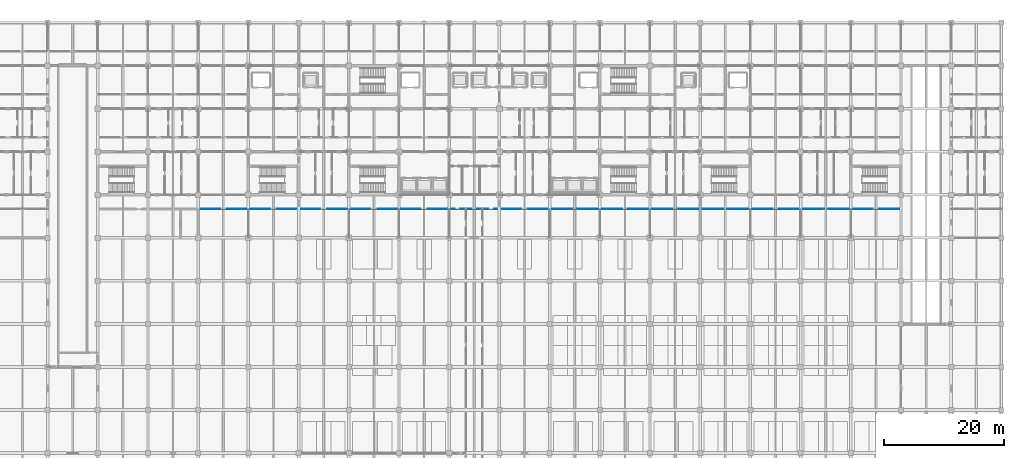
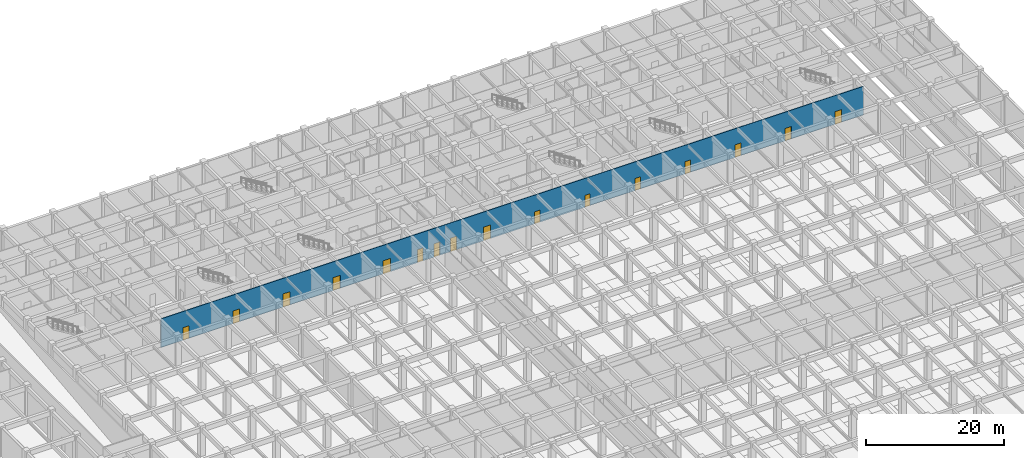
# One storey, part 25 of 48: 16 doors, 1 wall, 16 openings.
"""IFC4 building model written with IfcOpenShell, lengths in metres."""

from ifc_helpers import new_model, si_unit, direction, frame, frame_2d, origin, place, context, subcontext, project, spatial, rectangle, extrude, material, layer, layer_set, type_object, element, fill, save


model = new_model("IFC4")

# Units and contexts
model_context = context("Model", 3, precision=1e-05, world=origin(), true_north=direction((0.0, 1.0)))
body_context = subcontext(model_context, "Body", "Model", "MODEL_VIEW")
ifc_project = project(units=[si_unit("LENGTHUNIT", "METRE"), si_unit("AREAUNIT", "SQUARE_METRE"), si_unit("VOLUMEUNIT", "CUBIC_METRE"), si_unit("PLANEANGLEUNIT", "RADIAN"), si_unit("MASSUNIT", "GRAM", prefix="KILO")], contexts=[model_context])

# Site, building, storey
site_placement = place(None, origin())
site = spatial("IfcSite", under=ifc_project, at=site_placement, CompositionType="ELEMENT")
building_placement = place(site_placement, origin())
building = spatial("IfcBuilding", under=site, at=building_placement, Name="Chengyuan Square Courthouse", CompositionType="ELEMENT")
storey_placement = place(building_placement, frame((0.0, 0.0, -5.39990234375)))
storey = spatial("IfcBuildingStorey", under=building, at=storey_placement, Name="B01", CompositionType="ELEMENT", Elevation=-5.39990234375)

# Wall, openings, doors
ifc_material_1 = material(Name="Gypsum Plasterboard Acoustic Stud Partition")
ifc_layer = layer(ifc_material_1, 0.10009765625)
ifc_layer_set = layer_set([ifc_layer], Name="Gypsum Plasterboard Acoustic Stud Partition")
wall_type = type_object("IfcWallType", Name="WL-PT6", PredefinedType="STANDARD", material=ifc_layer_set)
wall_placement = place(storey_placement, frame((33.60009765625, 84.0, 0.0), z_axis=(0.0, 0.0, 1.0), x_axis=(1.0, 0.0, 0.0)))
wall = element("IfcWall", 1, at=wall_placement, inside=storey, type_object=wall_type, Name="Interior Wall WL-B01-I303", PredefinedType="STANDARD", context=body_context, shape_type="SweptSolid", body=[
    extrude(rectangle(XDim=117.599853515625, YDim=0.10009765625, at=frame_2d((58.7998046875, 0.0))), origin(), (0.0, 0.0, 1.0), 5.099853515625),
])
opening_1_placement = place(wall_placement, frame((3.659912109375, 0.0, 0.0)))
opening_1 = element("IfcOpeningElement", 2, at=opening_1_placement, cuts=wall, Name="Opening DR-618", PredefinedType="OPENING", context=body_context, shape_type="SweptSolid", body=[
    extrude(rectangle(XDim=1.080078125, YDim=2.25, at=frame_2d((0.5400390625, 1.125))), frame((0.0, 0.06201171875, 0.0), z_axis=(0.0, -1.0, 0.0), x_axis=(1.0, 0.0, 0.0)), (0.0, 0.0, 1.0), 0.1240234375),
])
opening_2_placement = place(wall_placement, frame((12.0400390625, 0.0, 0.0)))
opening_2 = element("IfcOpeningElement", 3, at=opening_2_placement, cuts=wall, Name="Opening DR-619", PredefinedType="OPENING", context=body_context, shape_type="SweptSolid", body=[
    extrude(rectangle(XDim=1.1201171875, YDim=2.25, at=frame_2d((0.56005859375, 1.125))), frame((0.0, 0.06201171875, 0.0), z_axis=(0.0, -1.0, 0.0), x_axis=(1.0, 0.0, 0.0)), (0.0, 0.0, 1.0), 0.1240234375),
])
opening_3_placement = place(wall_placement, frame((20.39990234375, 0.0, 0.0)))
opening_3 = element("IfcOpeningElement", 4, at=opening_3_placement, cuts=wall, Name="Opening DR-621", PredefinedType="OPENING", context=body_context, shape_type="SweptSolid", body=[
    extrude(rectangle(XDim=1.199951171875, YDim=2.35009765625, at=frame_2d((0.60009765625, 1.175048828125))), frame((0.0, 0.06201171875, 0.0), z_axis=(0.0, -1.0, 0.0), x_axis=(1.0, 0.0, 0.0)), (0.0, 0.0, 1.0), 0.1240234375),
])
opening_4_placement = place(wall_placement, frame((28.780029296875, 0.0, 0.0)))
opening_4 = element("IfcOpeningElement", 5, at=opening_4_placement, cuts=wall, Name="Opening DR-622", PredefinedType="OPENING", context=body_context, shape_type="SweptSolid", body=[
    extrude(rectangle(XDim=1.239990234375, YDim=2.300048828125, at=frame_2d((0.6201171875, 1.14990234375))), frame((0.0, 0.06201171875, 0.0), z_axis=(0.0, -1.0, 0.0), x_axis=(1.0, 0.0, 0.0)), (0.0, 0.0, 1.0), 0.1240234375),
])
opening_5_placement = place(wall_placement, frame((37.159912109375, 0.0, 0.0)))
opening_5 = element("IfcOpeningElement", 6, at=opening_5_placement, cuts=wall, Name="Opening DR-623", PredefinedType="OPENING", context=body_context, shape_type="SweptSolid", body=[
    extrude(rectangle(XDim=1.280029296875, YDim=2.35009765625, at=frame_2d((0.64013671875, 1.175048828125))), frame((0.0, 0.06201171875, 0.0), z_axis=(0.0, -1.0, 0.0), x_axis=(1.0, 0.0, 0.0)), (0.0, 0.0, 1.0), 0.1240234375),
])
opening_6_placement = place(wall_placement, frame((42.929931640625, 0.0, 0.0)))
opening_6 = element("IfcOpeningElement", 7, at=opening_6_placement, cuts=wall, Name="Opening DR-624", PredefinedType="OPENING", context=body_context, shape_type="SweptSolid", body=[
    extrude(rectangle(XDim=0.93994140625, YDim=2.300048828125, at=frame_2d((0.469970703125, 1.14990234375))), frame((0.0, 0.06201171875, 0.0), z_axis=(0.0, -1.0, 0.0), x_axis=(1.0, 0.0, 0.0)), (0.0, 0.0, 1.0), 0.1240234375),
])
opening_7_placement = place(wall_placement, frame((45.7099609375, 0.0, 0.0)))
opening_7 = element("IfcOpeningElement", 8, at=opening_7_placement, cuts=wall, Name="Opening DR-625", PredefinedType="OPENING", context=body_context, shape_type="SweptSolid", body=[
    extrude(rectangle(XDim=0.97998046875, YDim=2.35009765625, at=frame_2d((0.489990234375, 1.175048828125))), frame((0.0, 0.06201171875, 0.0), z_axis=(0.0, -1.0, 0.0), x_axis=(1.0, 0.0, 0.0)), (0.0, 0.0, 1.0), 0.1240234375),
])
opening_8_placement = place(wall_placement, frame((48.489990234375, 0.0, 0.0)))
opening_8 = element("IfcOpeningElement", 9, at=opening_8_placement, cuts=wall, Name="Opening DR-626", PredefinedType="OPENING", context=body_context, shape_type="SweptSolid", body=[
    extrude(rectangle(XDim=1.02001953125, YDim=2.39990234375, at=frame_2d((0.510009765625, 1.199951171875))), frame((0.0, 0.06201171875, 0.0), z_axis=(0.0, -1.0, 0.0), x_axis=(1.0, 0.0, 0.0)), (0.0, 0.0, 1.0), 0.1240234375),
])
opening_9_placement = place(wall_placement, frame((54.030029296875, 0.0, 0.0)))
opening_9 = element("IfcOpeningElement", 10, at=opening_9_placement, cuts=wall, Name="Opening DR-628", PredefinedType="OPENING", context=body_context, shape_type="SweptSolid", body=[
    extrude(rectangle(XDim=1.139892578125, YDim=2.39990234375, at=frame_2d((0.56982421875, 1.199951171875))), frame((0.0, 0.06201171875, 0.0), z_axis=(0.0, -1.0, 0.0), x_axis=(1.0, 0.0, 0.0)), (0.0, 0.0, 1.0), 0.1240234375),
])
opening_10_placement = place(wall_placement, frame((62.550048828125, 0.0, 0.0)))
opening_10 = element("IfcOpeningElement", 11, at=opening_10_placement, cuts=wall, Name="Opening DR-629", PredefinedType="OPENING", context=body_context, shape_type="SweptSolid", body=[
    extrude(rectangle(XDim=0.89990234375, YDim=2.14990234375, at=frame_2d((0.449951171875, 1.074951171875))), frame((0.0, 0.06201171875, 0.0), z_axis=(0.0, -1.0, 0.0), x_axis=(1.0, 0.0, 0.0)), (0.0, 0.0, 1.0), 0.1240234375),
])
opening_11_placement = place(wall_placement, frame((70.969970703125, 0.0, 0.0)))
opening_11 = element("IfcOpeningElement", 12, at=opening_11_placement, cuts=wall, Name="Opening DR-630", PredefinedType="OPENING", context=body_context, shape_type="SweptSolid", body=[
    extrude(rectangle(XDim=0.860107421875, YDim=2.10009765625, at=frame_2d((0.43017578125, 1.050048828125))), frame((0.0, 0.06201171875, 0.0), z_axis=(0.0, -1.0, 0.0), x_axis=(1.0, 0.0, 0.0)), (0.0, 0.0, 1.0), 0.1240234375),
])
opening_12_placement = place(wall_placement, frame((79.340087890625, 0.0, 0.0)))
opening_12 = element("IfcOpeningElement", 13, at=opening_12_placement, cuts=wall, Name="Opening DR-631", PredefinedType="OPENING", context=body_context, shape_type="SweptSolid", body=[
    extrude(rectangle(XDim=0.919921875, YDim=2.14990234375, at=frame_2d((0.4599609375, 1.074951171875))), frame((0.0, 0.06201171875, 0.0), z_axis=(0.0, -1.0, 0.0), x_axis=(1.0, 0.0, 0.0)), (0.0, 0.0, 1.0), 0.1240234375),
])
opening_13_placement = place(wall_placement, frame((87.719970703125, 0.0, 0.0)))
opening_13 = element("IfcOpeningElement", 14, at=opening_13_placement, cuts=wall, Name="Opening DR-632", PredefinedType="OPENING", context=body_context, shape_type="SweptSolid", body=[
    extrude(rectangle(XDim=0.9599609375, YDim=2.199951171875, at=frame_2d((0.47998046875, 1.10009765625))), frame((0.0, 0.06201171875, 0.0), z_axis=(0.0, -1.0, 0.0), x_axis=(1.0, 0.0, 0.0)), (0.0, 0.0, 1.0), 0.1240234375),
])
opening_14_placement = place(wall_placement, frame((96.10009765625, 0.0, 0.0)))
opening_14 = element("IfcOpeningElement", 15, at=opening_14_placement, cuts=wall, Name="Opening DR-633", PredefinedType="OPENING", context=body_context, shape_type="SweptSolid", body=[
    extrude(rectangle(XDim=1.0, YDim=2.25, at=frame_2d((0.5, 1.125))), frame((0.0, 0.06201171875, 0.0), z_axis=(0.0, -1.0, 0.0), x_axis=(1.0, 0.0, 0.0)), (0.0, 0.0, 1.0), 0.1240234375),
])
opening_15_placement = place(wall_placement, frame((104.47998046875, 0.0, 0.0)))
opening_15 = element("IfcOpeningElement", 16, at=opening_15_placement, cuts=wall, Name="Opening DR-634", PredefinedType="OPENING", context=body_context, shape_type="SweptSolid", body=[
    extrude(rectangle(XDim=1.0400390625, YDim=2.199951171875, at=frame_2d((0.52001953125, 1.10009765625))), frame((0.0, 0.06201171875, 0.0), z_axis=(0.0, -1.0, 0.0), x_axis=(1.0, 0.0, 0.0)), (0.0, 0.0, 1.0), 0.1240234375),
])
opening_16_placement = place(wall_placement, frame((112.860107421875, 0.0, 0.0)))
opening_16 = element("IfcOpeningElement", 17, at=opening_16_placement, cuts=wall, Name="Opening DR-635", PredefinedType="OPENING", context=body_context, shape_type="SweptSolid", body=[
    extrude(rectangle(XDim=1.080078125, YDim=2.25, at=frame_2d((0.5400390625, 1.125))), frame((0.0, 0.06201171875, 0.0), z_axis=(0.0, -1.0, 0.0), x_axis=(1.0, 0.0, 0.0)), (0.0, 0.0, 1.0), 0.1240234375),
])
ifc_material_2 = material(Name="Acoustic Solid-Core Timber Door", Category="wood")
door_type_1 = type_object("IfcDoorType", Name="DT-27", OperationType="NOTDEFINED", PredefinedType="DOOR", material=ifc_material_2)
door_1_placement = place(opening_10_placement, origin())
door_1 = element("IfcDoor", 18, at=door_1_placement, inside=storey, type_object=door_type_1, Name="Interior Door DR-629", OperationType="SINGLE_SWING_RIGHT", OverallHeight=2.14990234375, OverallWidth=0.89990234375, PredefinedType="DOOR", context=body_context, shape_type="SweptSolid", body=[
    extrude(rectangle(XDim=0.89990234375, YDim=2.14990234375, at=frame_2d((0.449951171875, 1.074951171875))), frame((0.0, 0.02490234375, 0.0), z_axis=(0.0, -1.0, 0.0), x_axis=(1.0, 0.0, 0.0)), (0.0, 0.0, 1.0), 0.050048828125),
])
fill(opening_10, door_1)
door_type_2 = type_object("IfcDoorType", Name="DT-28", OperationType="NOTDEFINED", PredefinedType="DOOR", material=ifc_material_2)
door_2_placement = place(opening_11_placement, origin())
door_2 = element("IfcDoor", 19, at=door_2_placement, inside=storey, type_object=door_type_2, Name="Interior Door DR-630", OperationType="SINGLE_SWING_LEFT", OverallHeight=2.10009765625, OverallWidth=0.860107421875, PredefinedType="DOOR", context=body_context, shape_type="SweptSolid", body=[
    extrude(rectangle(XDim=0.860107421875, YDim=2.10009765625, at=frame_2d((0.43017578125, 1.050048828125))), frame((0.0, 0.02490234375, 0.0), z_axis=(0.0, -1.0, 0.0), x_axis=(1.0, 0.0, 0.0)), (0.0, 0.0, 1.0), 0.050048828125),
])
fill(opening_11, door_2)
door_type_3 = type_object("IfcDoorType", Name="DT-29", OperationType="NOTDEFINED", PredefinedType="DOOR", material=ifc_material_2)
door_3_placement = place(opening_12_placement, origin())
door_3 = element("IfcDoor", 20, at=door_3_placement, inside=storey, type_object=door_type_3, Name="Interior Door DR-631", OperationType="SINGLE_SWING_RIGHT", OverallHeight=2.14990234375, OverallWidth=0.919921875, PredefinedType="DOOR", context=body_context, shape_type="SweptSolid", body=[
    extrude(rectangle(XDim=0.919921875, YDim=2.14990234375, at=frame_2d((0.4599609375, 1.074951171875))), frame((0.0, 0.02490234375, 0.0), z_axis=(0.0, -1.0, 0.0), x_axis=(1.0, 0.0, 0.0)), (0.0, 0.0, 1.0), 0.050048828125),
])
fill(opening_12, door_3)
door_type_4 = type_object("IfcDoorType", Name="DT-30", OperationType="NOTDEFINED", PredefinedType="DOOR", material=ifc_material_2)
door_4_placement = place(opening_13_placement, origin())
door_4 = element("IfcDoor", 21, at=door_4_placement, inside=storey, type_object=door_type_4, Name="Interior Door DR-632", OperationType="SINGLE_SWING_LEFT", OverallHeight=2.199951171875, OverallWidth=0.9599609375, PredefinedType="DOOR", context=body_context, shape_type="SweptSolid", body=[
    extrude(rectangle(XDim=0.9599609375, YDim=2.199951171875, at=frame_2d((0.47998046875, 1.10009765625))), frame((0.0, 0.02490234375, 0.0), z_axis=(0.0, -1.0, 0.0), x_axis=(1.0, 0.0, 0.0)), (0.0, 0.0, 1.0), 0.050048828125),
])
fill(opening_13, door_4)
door_type_5 = type_object("IfcDoorType", Name="DT-31", OperationType="NOTDEFINED", PredefinedType="DOOR", material=ifc_material_2)
door_5_placement = place(opening_14_placement, origin())
door_5 = element("IfcDoor", 22, at=door_5_placement, inside=storey, type_object=door_type_5, Name="Interior Door DR-633", OperationType="SINGLE_SWING_RIGHT", OverallHeight=2.25, OverallWidth=1.0, PredefinedType="DOOR", context=body_context, shape_type="SweptSolid", body=[
    extrude(rectangle(XDim=1.0, YDim=2.25, at=frame_2d((0.5, 1.125))), frame((0.0, 0.02490234375, 0.0), z_axis=(0.0, -1.0, 0.0), x_axis=(1.0, 0.0, 0.0)), (0.0, 0.0, 1.0), 0.050048828125),
])
fill(opening_14, door_5)
door_type_6 = type_object("IfcDoorType", Name="DT-32", OperationType="NOTDEFINED", PredefinedType="DOOR", material=ifc_material_2)
door_6_placement = place(opening_15_placement, origin())
door_6 = element("IfcDoor", 23, at=door_6_placement, inside=storey, type_object=door_type_6, Name="Interior Door DR-634", OperationType="SINGLE_SWING_LEFT", OverallHeight=2.199951171875, OverallWidth=1.0400390625, PredefinedType="DOOR", context=body_context, shape_type="SweptSolid", body=[
    extrude(rectangle(XDim=1.0400390625, YDim=2.199951171875, at=frame_2d((0.52001953125, 1.10009765625))), frame((0.0, 0.02490234375, 0.0), z_axis=(0.0, -1.0, 0.0), x_axis=(1.0, 0.0, 0.0)), (0.0, 0.0, 1.0), 0.050048828125),
])
fill(opening_15, door_6)
door_type_7 = type_object("IfcDoorType", Name="DT-33", OperationType="NOTDEFINED", PredefinedType="DOOR", material=ifc_material_2)
door_7_placement = place(opening_1_placement, origin())
door_7 = element("IfcDoor", 24, at=door_7_placement, inside=storey, type_object=door_type_7, Name="Interior Door DR-618", OperationType="SINGLE_SWING_LEFT", OverallHeight=2.25, OverallWidth=1.080078125, PredefinedType="DOOR", context=body_context, shape_type="SweptSolid", body=[
    extrude(rectangle(XDim=1.080078125, YDim=2.25, at=frame_2d((0.5400390625, 1.125))), frame((0.0, 0.02490234375, 0.0), z_axis=(0.0, -1.0, 0.0), x_axis=(1.0, 0.0, 0.0)), (0.0, 0.0, 1.0), 0.050048828125),
])
fill(opening_1, door_7)
door_8_placement = place(opening_16_placement, origin())
door_8 = element("IfcDoor", 25, at=door_8_placement, inside=storey, type_object=door_type_7, Name="Interior Door DR-635", OperationType="SINGLE_SWING_RIGHT", OverallHeight=2.25, OverallWidth=1.080078125, PredefinedType="DOOR", context=body_context, shape_type="SweptSolid", body=[
    extrude(rectangle(XDim=1.080078125, YDim=2.25, at=frame_2d((0.5400390625, 1.125))), frame((0.0, 0.02490234375, 0.0), z_axis=(0.0, -1.0, 0.0), x_axis=(1.0, 0.0, 0.0)), (0.0, 0.0, 1.0), 0.050048828125),
])
fill(opening_16, door_8)
door_type_8 = type_object("IfcDoorType", Name="DT-34", OperationType="NOTDEFINED", PredefinedType="DOOR", material=ifc_material_2)
door_9_placement = place(opening_2_placement, origin())
door_9 = element("IfcDoor", 26, at=door_9_placement, inside=storey, type_object=door_type_8, Name="Interior Door DR-619", OperationType="SINGLE_SWING_RIGHT", OverallHeight=2.25, OverallWidth=1.1201171875, PredefinedType="DOOR", context=body_context, shape_type="SweptSolid", body=[
    extrude(rectangle(XDim=1.1201171875, YDim=2.25, at=frame_2d((0.56005859375, 1.125))), frame((0.0, 0.02490234375, 0.0), z_axis=(0.0, -1.0, 0.0), x_axis=(1.0, 0.0, 0.0)), (0.0, 0.0, 1.0), 0.050048828125),
])
fill(opening_2, door_9)
door_type_9 = type_object("IfcDoorType", Name="DT-36", OperationType="NOTDEFINED", PredefinedType="DOOR", material=ifc_material_2)
door_10_placement = place(opening_3_placement, origin())
door_10 = element("IfcDoor", 27, at=door_10_placement, inside=storey, type_object=door_type_9, Name="Interior Door DR-621", OperationType="SINGLE_SWING_RIGHT", OverallHeight=2.35009765625, OverallWidth=1.199951171875, PredefinedType="DOOR", context=body_context, shape_type="SweptSolid", body=[
    extrude(rectangle(XDim=1.199951171875, YDim=2.35009765625, at=frame_2d((0.60009765625, 1.175048828125))), frame((0.0, 0.02490234375, 0.0), z_axis=(0.0, -1.0, 0.0), x_axis=(1.0, 0.0, 0.0)), (0.0, 0.0, 1.0), 0.050048828125),
])
fill(opening_3, door_10)
door_type_10 = type_object("IfcDoorType", Name="DT-37", OperationType="NOTDEFINED", PredefinedType="DOOR", material=ifc_material_2)
door_11_placement = place(opening_4_placement, origin())
door_11 = element("IfcDoor", 28, at=door_11_placement, inside=storey, type_object=door_type_10, Name="Interior Door DR-622", OperationType="SINGLE_SWING_LEFT", OverallHeight=2.300048828125, OverallWidth=1.239990234375, PredefinedType="DOOR", context=body_context, shape_type="SweptSolid", body=[
    extrude(rectangle(XDim=1.239990234375, YDim=2.300048828125, at=frame_2d((0.6201171875, 1.14990234375))), frame((0.0, 0.02490234375, 0.0), z_axis=(0.0, -1.0, 0.0), x_axis=(1.0, 0.0, 0.0)), (0.0, 0.0, 1.0), 0.050048828125),
])
fill(opening_4, door_11)
door_type_11 = type_object("IfcDoorType", Name="DT-38", OperationType="NOTDEFINED", PredefinedType="DOOR", material=ifc_material_2)
door_12_placement = place(opening_5_placement, origin())
door_12 = element("IfcDoor", 29, at=door_12_placement, inside=storey, type_object=door_type_11, Name="Interior Door DR-623", OperationType="SINGLE_SWING_RIGHT", OverallHeight=2.35009765625, OverallWidth=1.280029296875, PredefinedType="DOOR", context=body_context, shape_type="SweptSolid", body=[
    extrude(rectangle(XDim=1.280029296875, YDim=2.35009765625, at=frame_2d((0.64013671875, 1.175048828125))), frame((0.0, 0.02490234375, 0.0), z_axis=(0.0, -1.0, 0.0), x_axis=(1.0, 0.0, 0.0)), (0.0, 0.0, 1.0), 0.050048828125),
])
fill(opening_5, door_12)
door_type_12 = type_object("IfcDoorType", Name="DT-39", OperationType="NOTDEFINED", PredefinedType="DOOR", material=ifc_material_2)
door_13_placement = place(opening_6_placement, origin())
door_13 = element("IfcDoor", 30, at=door_13_placement, inside=storey, type_object=door_type_12, Name="Interior Door DR-624", OperationType="SINGLE_SWING_LEFT", OverallHeight=2.300048828125, OverallWidth=0.93994140625, PredefinedType="DOOR", context=body_context, shape_type="SweptSolid", body=[
    extrude(rectangle(XDim=0.93994140625, YDim=2.300048828125, at=frame_2d((0.469970703125, 1.14990234375))), frame((0.0, 0.02490234375, 0.0), z_axis=(0.0, -1.0, 0.0), x_axis=(1.0, 0.0, 0.0)), (0.0, 0.0, 1.0), 0.050048828125),
])
fill(opening_6, door_13)
door_type_13 = type_object("IfcDoorType", Name="DT-40", OperationType="NOTDEFINED", PredefinedType="DOOR", material=ifc_material_2)
door_14_placement = place(opening_7_placement, origin())
door_14 = element("IfcDoor", 31, at=door_14_placement, inside=storey, type_object=door_type_13, Name="Interior Door DR-625", OperationType="SINGLE_SWING_RIGHT", OverallHeight=2.35009765625, OverallWidth=0.97998046875, PredefinedType="DOOR", context=body_context, shape_type="SweptSolid", body=[
    extrude(rectangle(XDim=0.97998046875, YDim=2.35009765625, at=frame_2d((0.489990234375, 1.175048828125))), frame((0.0, 0.02490234375, 0.0), z_axis=(0.0, -1.0, 0.0), x_axis=(1.0, 0.0, 0.0)), (0.0, 0.0, 1.0), 0.050048828125),
])
fill(opening_7, door_14)
door_type_14 = type_object("IfcDoorType", Name="DT-41", OperationType="NOTDEFINED", PredefinedType="DOOR", material=ifc_material_2)
door_15_placement = place(opening_8_placement, origin())
door_15 = element("IfcDoor", 32, at=door_15_placement, inside=storey, type_object=door_type_14, Name="Interior Door DR-626", OperationType="SINGLE_SWING_LEFT", OverallHeight=2.39990234375, OverallWidth=1.02001953125, PredefinedType="DOOR", context=body_context, shape_type="SweptSolid", body=[
    extrude(rectangle(XDim=1.02001953125, YDim=2.39990234375, at=frame_2d((0.510009765625, 1.199951171875))), frame((0.0, 0.02490234375, 0.0), z_axis=(0.0, -1.0, 0.0), x_axis=(1.0, 0.0, 0.0)), (0.0, 0.0, 1.0), 0.050048828125),
])
fill(opening_8, door_15)
door_type_15 = type_object("IfcDoorType", Name="DT-43", OperationType="NOTDEFINED", PredefinedType="DOOR", material=ifc_material_2)
door_16_placement = place(opening_9_placement, origin())
door_16 = element("IfcDoor", 33, at=door_16_placement, inside=storey, type_object=door_type_15, Name="Interior Door DR-628", OperationType="SINGLE_SWING_LEFT", OverallHeight=2.39990234375, OverallWidth=1.139892578125, PredefinedType="DOOR", context=body_context, shape_type="SweptSolid", body=[
    extrude(rectangle(XDim=1.139892578125, YDim=2.39990234375, at=frame_2d((0.56982421875, 1.199951171875))), frame((0.0, 0.02490234375, 0.0), z_axis=(0.0, -1.0, 0.0), x_axis=(1.0, 0.0, 0.0)), (0.0, 0.0, 1.0), 0.050048828125),
])
fill(opening_9, door_16)

save(model, "model.ifc")
